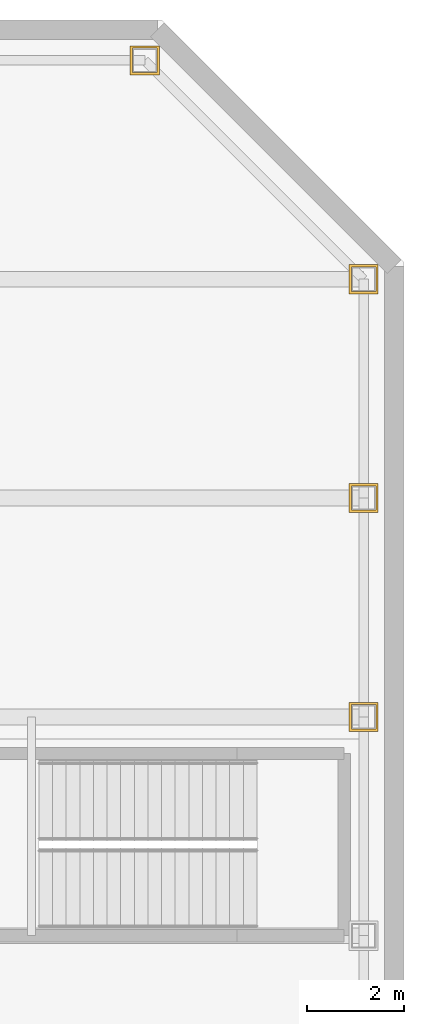
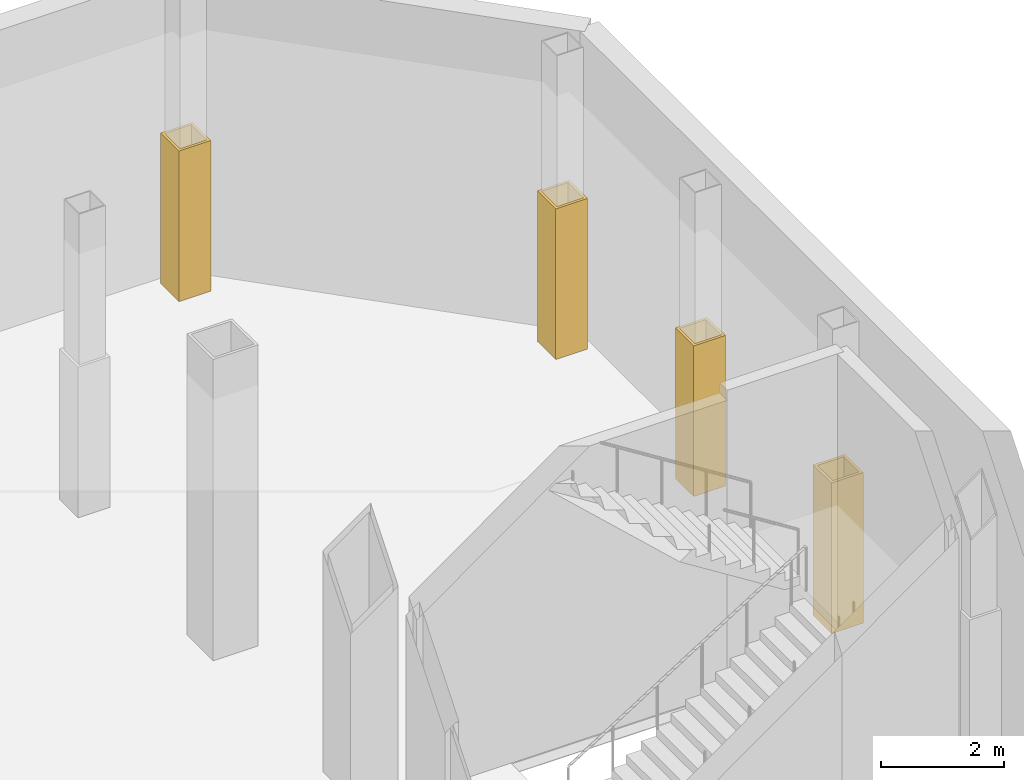
# One storey, part 11 of 12: 4 coverings.
"""IFC4 building model written with IfcOpenShell, lengths in metres."""

from ifc_helpers import new_model, si_unit, direction, frame, origin, place, context, subcontext, project, spatial, polyline, outline, extrude, material, layer, layer_set, type_object, element, save


model = new_model("IFC4")

# Units and contexts
model_context = context("Model", 3, precision=1e-05, world=origin(), true_north=direction((0.0, 1.0)))
body_context = subcontext(model_context, "Body", "Model", "MODEL_VIEW")
ifc_project = project(units=[si_unit("LENGTHUNIT", "METRE"), si_unit("AREAUNIT", "SQUARE_METRE"), si_unit("VOLUMEUNIT", "CUBIC_METRE"), si_unit("PLANEANGLEUNIT", "RADIAN"), si_unit("MASSUNIT", "GRAM", prefix="KILO")], contexts=[model_context])

# Site, building, storey
site_placement = place(None, origin())
site = spatial("IfcSite", under=ifc_project, at=site_placement, CompositionType="ELEMENT")
building_placement = place(site_placement, origin())
building = spatial("IfcBuilding", under=site, at=building_placement, Name="Corais Broadcast Tower", CompositionType="ELEMENT")
storey_placement = place(building_placement, frame((0.0, 0.0, 6.0)))
storey = spatial("IfcBuildingStorey", under=building, at=storey_placement, Name="L01", CompositionType="ELEMENT", Elevation=6.0)

# Coverings
ifc_material = material(Name="Granite stone cladding", Category="masonry")
ifc_layer = layer(ifc_material, 0.050048828125)
ifc_layer_set = layer_set([ifc_layer], Name="Granite stone cladding")
covering_type = type_object("IfcCoveringType", Name="Pier cladding", PredefinedType="CLADDING", material=ifc_layer_set)
covering_1_placement = place(storey_placement, origin())
element("IfcCovering", 1, at=covering_1_placement, inside=storey, type_object=covering_type, Name="PC pier cladding L01", PredefinedType="CLADDING", context=body_context, shape_type="SweptSolid", body=[
    extrude(outline(polyline([(62.699951171875, 40.199951171875), (63.300048828125, 40.199951171875), (63.300048828125, 40.800048828125), (62.699951171875, 40.800048828125), (62.699951171875, 40.199951171875)]), holes=[polyline([(62.75, 40.25), (63.25, 40.25), (63.25, 40.75), (62.75, 40.75), (62.75, 40.25)])]), origin(), (0.0, 0.0, 1.0), 3.0),
])
covering_2_placement = place(storey_placement, origin())
element("IfcCovering", 2, at=covering_2_placement, inside=storey, type_object=covering_type, Name="PC pier cladding L01", PredefinedType="CLADDING", context=body_context, shape_type="SweptSolid", body=[
    extrude(outline(polyline([(62.699951171875, 44.699951171875), (63.300048828125, 44.699951171875), (63.300048828125, 45.300048828125), (62.699951171875, 45.300048828125), (62.699951171875, 44.699951171875)]), holes=[polyline([(62.75, 44.75), (63.25, 44.75), (63.25, 45.25), (62.75, 45.25), (62.75, 44.75)])]), origin(), (0.0, 0.0, 1.0), 3.0),
])
covering_3_placement = place(storey_placement, origin())
element("IfcCovering", 3, at=covering_3_placement, inside=storey, type_object=covering_type, Name="PC pier cladding L01", PredefinedType="CLADDING", context=body_context, shape_type="SweptSolid", body=[
    extrude(outline(polyline([(62.699951171875, 49.199951171875), (63.300048828125, 49.199951171875), (63.300048828125, 49.800048828125), (62.699951171875, 49.800048828125), (62.699951171875, 49.199951171875)]), holes=[polyline([(62.75, 49.25), (63.25, 49.25), (63.25, 49.75), (62.75, 49.75), (62.75, 49.25)])]), origin(), (0.0, 0.0, 1.0), 3.0),
])
covering_4_placement = place(storey_placement, origin())
element("IfcCovering", 4, at=covering_4_placement, inside=storey, type_object=covering_type, Name="PC pier cladding L01", PredefinedType="CLADDING", context=body_context, shape_type="SweptSolid", body=[
    extrude(outline(polyline([(58.199951171875, 53.699951171875), (58.800048828125, 53.699951171875), (58.800048828125, 54.300048828125), (58.199951171875, 54.300048828125), (58.199951171875, 53.699951171875)]), holes=[polyline([(58.25, 53.75), (58.75, 53.75), (58.75, 54.25), (58.25, 54.25), (58.25, 53.75)])]), origin(), (0.0, 0.0, 1.0), 3.0),
])

save(model, "model.ifc")
